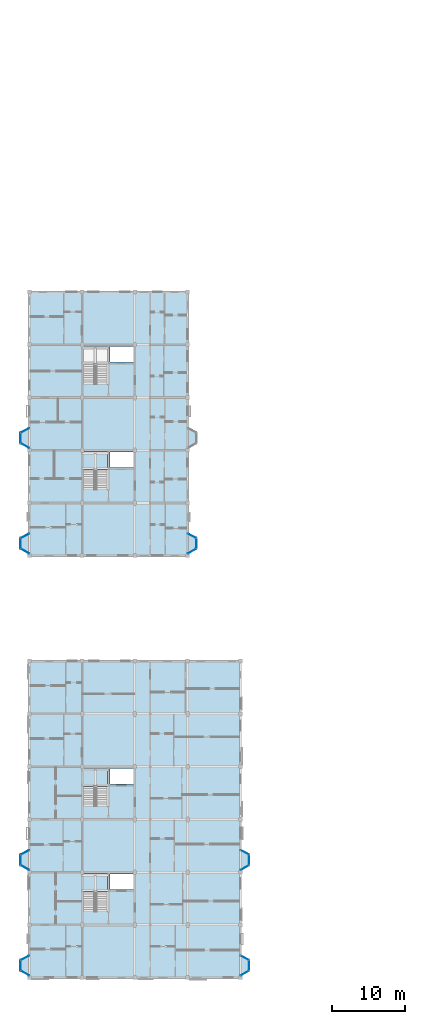
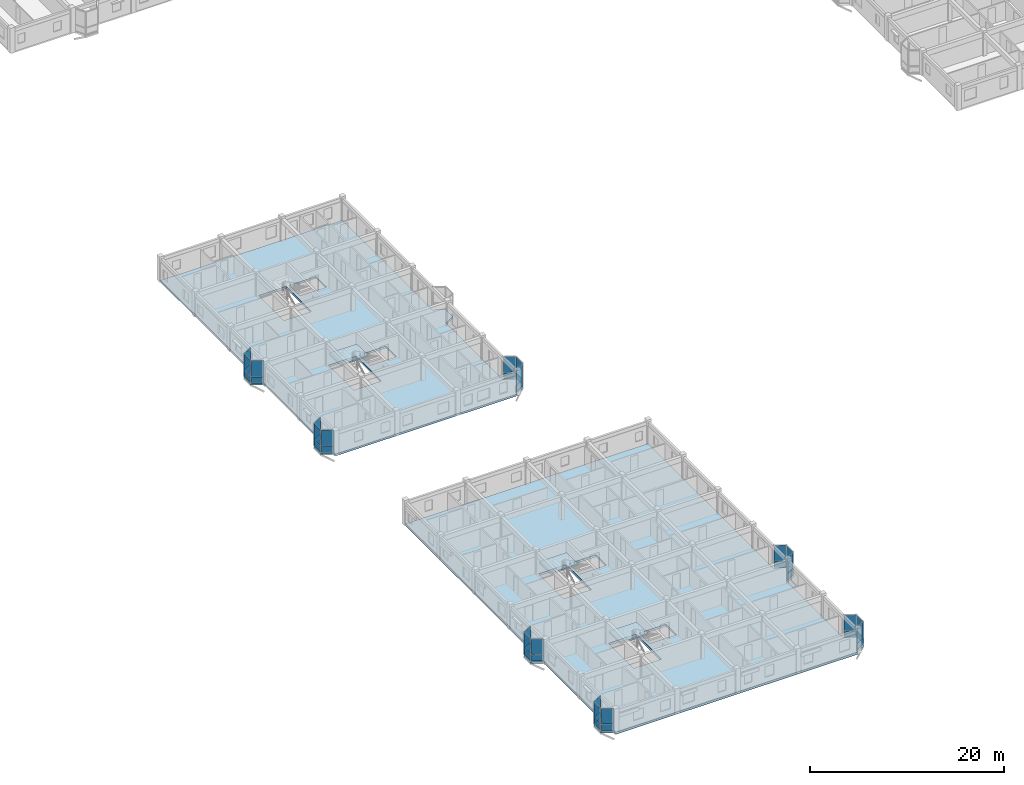
# One storey, part 46 of 77: 42 plates, 5 slabs, 24 elements without a shape of their own.
"""IFC4 building model written with IfcOpenShell, lengths in metres."""

from ifc_helpers import new_model, si_unit, direction, frame, origin, origin_2d, place, context, subcontext, project, spatial, polyline, rectangle, outline, extrude, material, layer, layer_set, type_object, element, aggregate, save


model = new_model("IFC4")

# Units and contexts
model_context = context("Model", 3, precision=1e-05, world=origin(), true_north=direction((0.0, 1.0)))
body_context = subcontext(model_context, "Body", "Model", "MODEL_VIEW")
ifc_project = project(units=[si_unit("LENGTHUNIT", "METRE"), si_unit("AREAUNIT", "SQUARE_METRE"), si_unit("VOLUMEUNIT", "CUBIC_METRE"), si_unit("PLANEANGLEUNIT", "RADIAN"), si_unit("MASSUNIT", "GRAM", prefix="KILO"), si_unit("THERMODYNAMICTEMPERATUREUNIT", "KELVIN"), si_unit("POWERUNIT", "WATT")], contexts=[model_context])

# Site, building, storey
site_placement = place(None, origin())
site = spatial("IfcSite", under=ifc_project, at=site_placement, CompositionType="ELEMENT")
building_placement = place(site_placement, origin())
building = spatial("IfcBuilding", under=site, at=building_placement, Name="Tavuni Mirador Residences", CompositionType="ELEMENT")
storey_placement = place(building_placement, frame((0.0, 0.0, 17.10009765625)))
storey = spatial("IfcBuildingStorey", under=building, at=storey_placement, Name="L05", CompositionType="ELEMENT", Elevation=17.10009765625)

# Curtain wall, plate
ifc_material_1 = material(Name="Anodised aluminium", Category="aluminium")
ifc_layer_1 = layer(ifc_material_1, 0.1650390625, Name="Anodised aluminium", Category="aluminium")
ifc_layer_set_1 = layer_set([ifc_layer_1], Name="Anodised aluminium")
curtain_wall_type_1 = type_object("IfcCurtainWallType", Name="CWT-MIR-A", PredefinedType="NOTDEFINED", material=ifc_layer_set_1)
curtain_wall_1_placement = place(storey_placement, origin())
curtain_wall_1 = element("IfcCurtainWall", 1, at=curtain_wall_1_placement, inside=storey, type_object=curtain_wall_type_1, Name="CW-MIR-A-E2-L05-M1", PredefinedType="NOTDEFINED")
ifc_material_2 = material(Name="Laminated solar-control glass", Category="glass")
ifc_layer_2 = layer(ifc_material_2, 0.02392578125, Name="Laminated solar-control glass", Category="glass")
ifc_layer_set_2 = layer_set([ifc_layer_2], Name="Laminated solar-control glass")
plate_type_1 = type_object("IfcPlateType", Name="CWP-GL24", PredefinedType="CURTAIN_PANEL", material=ifc_layer_set_2)
plate_1_placement = place(storey_placement, frame((33.0, 22.217529296875, 0.8798828125), z_axis=(0.0, 0.0, 1.0), x_axis=(0.868465738194, 0.495749192217, 0.0)))
plate_1 = element("IfcPlate", 2, at=plate_1_placement, type_object=plate_type_1, Name="CW-01 panel 1.2", PredefinedType="CURTAIN_PANEL", context=body_context, shape_type="SweptSolid", body=[
    extrude(rectangle(XDim=1.26171875, YDim=0.02392578125, at=origin_2d()), origin(), (0.0, 0.0, 1.0), 1.929931640625),
])

curtain_wall_2_placement = place(storey_placement, origin())
curtain_wall_2 = element("IfcCurtainWall", 3, at=curtain_wall_2_placement, inside=storey, type_object=curtain_wall_type_1, Name="CW-MIR-A-W2-L05-MF", PredefinedType="NOTDEFINED")
plate_2_placement = place(storey_placement, frame((2.39990234375, 23.27001953125, 0.8798828125), z_axis=(0.0, 0.0, 1.0), x_axis=(0.0, -1.0, 0.0)))
plate_2 = element("IfcPlate", 4, at=plate_2_placement, type_object=plate_type_1, Name="CW-01 panel 1.2", PredefinedType="CURTAIN_PANEL", context=body_context, shape_type="SweptSolid", body=[
    extrude(rectangle(XDim=1.300048828125, YDim=0.02392578125, at=origin_2d()), origin(), (0.0, 0.0, 1.0), 1.929931640625),
])

curtain_wall_3_placement = place(storey_placement, origin())
curtain_wall_3 = element("IfcCurtainWall", 5, at=curtain_wall_3_placement, inside=storey, type_object=curtain_wall_type_1, Name="CW-MIR-A-W1-L05-M2", PredefinedType="NOTDEFINED")
plate_3_placement = place(storey_placement, frame((3.0, 7.8173828125, 0.8798828125), z_axis=(0.0, 0.0, 1.0), x_axis=(0.868465738194, -0.495749192217, 0.0)))
plate_3 = element("IfcPlate", 6, at=plate_3_placement, type_object=plate_type_1, Name="CW-01 panel 1.2", PredefinedType="CURTAIN_PANEL", context=body_context, shape_type="SweptSolid", body=[
    extrude(rectangle(XDim=1.26171875, YDim=0.02392578125, at=origin_2d()), origin(), (0.0, 0.0, 1.0), 1.929931640625),
])

curtain_wall_4_placement = place(storey_placement, origin())
curtain_wall_4 = element("IfcCurtainWall", 7, at=curtain_wall_4_placement, inside=storey, type_object=curtain_wall_type_1, Name="CW-MIR-B-E1-L05-M1", PredefinedType="NOTDEFINED")
plate_4_placement = place(storey_placement, frame((25.800048828125, 65.41748046875, 0.8798828125), z_axis=(0.0, 0.0, 1.0), x_axis=(0.868465738194, 0.495749192217, 0.0)))
plate_4 = element("IfcPlate", 8, at=plate_4_placement, type_object=plate_type_1, Name="CW-01 panel 1.2", PredefinedType="CURTAIN_PANEL", context=body_context, shape_type="SweptSolid", body=[
    extrude(rectangle(XDim=1.26171875, YDim=0.02392578125, at=origin_2d()), origin(), (0.0, 0.0, 1.0), 1.969970703125),
])

curtain_wall_5_placement = place(storey_placement, origin())
curtain_wall_5 = element("IfcCurtainWall", 9, at=curtain_wall_5_placement, inside=storey, type_object=curtain_wall_type_1, Name="CW-MIR-B-W2-L05-M2", PredefinedType="NOTDEFINED")
plate_5_placement = place(storey_placement, frame((3.0, 79.8173828125, 0.8798828125), z_axis=(0.0, 0.0, 1.0), x_axis=(0.868465738194, -0.495749192217, 0.0)))
plate_5 = element("IfcPlate", 10, at=plate_5_placement, type_object=plate_type_1, Name="CW-01 panel 1.2", PredefinedType="CURTAIN_PANEL", context=body_context, shape_type="SweptSolid", body=[
    extrude(rectangle(XDim=1.26171875, YDim=0.02392578125, at=origin_2d()), origin(), (0.0, 0.0, 1.0), 1.969970703125),
])

ifc_layer_3 = layer(ifc_material_1, 0.14990234375, Name="Anodised aluminium", Category="aluminium")
ifc_layer_set_3 = layer_set([ifc_layer_3], Name="Anodised aluminium")
curtain_wall_type_2 = type_object("IfcCurtainWallType", Name="CWT-MIR-B", PredefinedType="NOTDEFINED", material=ifc_layer_set_3)
curtain_wall_6_placement = place(storey_placement, origin())
curtain_wall_6 = element("IfcCurtainWall", 11, at=curtain_wall_6_placement, inside=storey, type_object=curtain_wall_type_2, Name="CW-MIR-A-E1-L05-M1", PredefinedType="NOTDEFINED")
ifc_layer_4 = layer(ifc_material_2, 0.028076171875, Name="Laminated solar-control glass", Category="glass")
ifc_layer_set_4 = layer_set([ifc_layer_4], Name="Laminated solar-control glass")
plate_type_2 = type_object("IfcPlateType", Name="CWP-GL28", PredefinedType="CURTAIN_PANEL", material=ifc_layer_set_4)
plate_6_placement = place(storey_placement, frame((33.0, 7.8173828125, 0.88232421875), z_axis=(0.0, 0.0, 1.0), x_axis=(0.868465738194, 0.495749192217, 0.0)))
plate_6 = element("IfcPlate", 12, at=plate_6_placement, type_object=plate_type_2, Name="CW-02 panel 1.2", PredefinedType="CURTAIN_PANEL", context=body_context, shape_type="SweptSolid", body=[
    extrude(rectangle(XDim=1.251708984375, YDim=0.028076171875, at=origin_2d()), origin(), (0.0, 0.0, 1.0), 1.922607421875),
])

curtain_wall_7_placement = place(storey_placement, origin())
curtain_wall_7 = element("IfcCurtainWall", 13, at=curtain_wall_7_placement, inside=storey, type_object=curtain_wall_type_2, Name="CW-MIR-A-E2-L05-MF", PredefinedType="NOTDEFINED")
plate_7_placement = place(storey_placement, frame((33.60009765625, 23.27001953125, 0.88232421875), z_axis=(0.0, 0.0, 1.0), x_axis=(0.0, 1.0, 0.0)))
plate_7 = element("IfcPlate", 14, at=plate_7_placement, type_object=plate_type_2, Name="CW-02 panel 1.2", PredefinedType="CURTAIN_PANEL", context=body_context, shape_type="SweptSolid", body=[
    extrude(rectangle(XDim=1.2900390625, YDim=0.028076171875, at=origin_2d()), origin(), (0.0, 0.0, 1.0), 1.922607421875),
])

curtain_wall_8_placement = place(storey_placement, origin())
curtain_wall_8 = element("IfcCurtainWall", 15, at=curtain_wall_8_placement, inside=storey, type_object=curtain_wall_type_2, Name="CW-MIR-A-W2-L05-M2", PredefinedType="NOTDEFINED")
plate_8_placement = place(storey_placement, frame((3.0, 22.217529296875, 0.88232421875), z_axis=(0.0, 0.0, 1.0), x_axis=(0.868465738194, -0.495749192217, 0.0)))
plate_8 = element("IfcPlate", 16, at=plate_8_placement, type_object=plate_type_2, Name="CW-02 panel 1.2", PredefinedType="CURTAIN_PANEL", context=body_context, shape_type="SweptSolid", body=[
    extrude(rectangle(XDim=1.251708984375, YDim=0.028076171875, at=origin_2d()), origin(), (0.0, 0.0, 1.0), 1.922607421875),
])

curtain_wall_9_placement = place(storey_placement, origin())
curtain_wall_9 = element("IfcCurtainWall", 17, at=curtain_wall_9_placement, inside=storey, type_object=curtain_wall_type_2, Name="CW-MIR-B-E1-L05-MF", PredefinedType="NOTDEFINED")
plate_9_placement = place(storey_placement, frame((26.39990234375, 66.469970703125, 0.882568359375), z_axis=(0.0, 0.0, 1.0), x_axis=(0.0, 1.0, 0.0)))
plate_9 = element("IfcPlate", 18, at=plate_9_placement, type_object=plate_type_2, Name="CW-02 panel 1.2", PredefinedType="CURTAIN_PANEL", context=body_context, shape_type="SweptSolid", body=[
    extrude(rectangle(XDim=1.2900390625, YDim=0.028076171875, at=origin_2d()), origin(), (0.0, 0.0, 1.0), 1.96240234375),
])

curtain_wall_10_placement = place(storey_placement, origin())
curtain_wall_10 = element("IfcCurtainWall", 19, at=curtain_wall_10_placement, inside=storey, type_object=curtain_wall_type_2, Name="CW-MIR-B-W1-L05-M1", PredefinedType="NOTDEFINED")
plate_10_placement = place(storey_placement, frame((3.0, 67.5, 0.882568359375), z_axis=(0.0, 0.0, 1.0), x_axis=(-0.882352941175, -0.470588235296, 0.0)))
plate_10 = element("IfcPlate", 20, at=plate_10_placement, type_object=plate_type_2, Name="CW-02 panel 1.2", PredefinedType="CURTAIN_PANEL", context=body_context, shape_type="SweptSolid", body=[
    extrude(rectangle(XDim=1.22998046875, YDim=0.028076171875, at=origin_2d()), origin(), (0.0, 0.0, 1.0), 1.96240234375),
])

ifc_layer_5 = layer(ifc_material_1, 0.175048828125, Name="Anodised aluminium", Category="aluminium")
ifc_layer_set_5 = layer_set([ifc_layer_5], Name="Anodised aluminium")
curtain_wall_type_3 = type_object("IfcCurtainWallType", Name="CWT-MIR-C", PredefinedType="NOTDEFINED", material=ifc_layer_set_5)
curtain_wall_11_placement = place(storey_placement, origin())
curtain_wall_11 = element("IfcCurtainWall", 21, at=curtain_wall_11_placement, inside=storey, type_object=curtain_wall_type_3, Name="CW-MIR-A-E1-L05-MF", PredefinedType="NOTDEFINED")
ifc_layer_6 = layer(ifc_material_2, 0.031982421875, Name="Laminated solar-control glass", Category="glass")
ifc_layer_set_6 = layer_set([ifc_layer_6], Name="Laminated solar-control glass")
plate_type_3 = type_object("IfcPlateType", Name="CWP-GL32", PredefinedType="CURTAIN_PANEL", material=ifc_layer_set_6)
plate_11_placement = place(storey_placement, frame((33.60009765625, 8.8701171875, 0.8798828125), z_axis=(0.0, 0.0, 1.0), x_axis=(0.0, 1.0, 0.0)))
plate_11 = element("IfcPlate", 22, at=plate_11_placement, type_object=plate_type_3, Name="CW-03 panel 1.2", PredefinedType="CURTAIN_PANEL", context=body_context, shape_type="SweptSolid", body=[
    extrude(rectangle(XDim=1.300048828125, YDim=0.031982421875, at=origin_2d()), origin(), (0.0, 0.0, 1.0), 1.929931640625),
])

curtain_wall_12_placement = place(storey_placement, origin())
curtain_wall_12 = element("IfcCurtainWall", 23, at=curtain_wall_12_placement, inside=storey, type_object=curtain_wall_type_3, Name="CW-MIR-A-E2-L05-M2", PredefinedType="NOTDEFINED")
plate_12_placement = place(storey_placement, frame((33.0, 24.300048828125, 0.8798828125), z_axis=(0.0, 0.0, 1.0), x_axis=(-0.882352941175, 0.470588235296, 0.0)))
plate_12 = element("IfcPlate", 24, at=plate_12_placement, type_object=plate_type_3, Name="CW-03 panel 1.2", PredefinedType="CURTAIN_PANEL", context=body_context, shape_type="SweptSolid", body=[
    extrude(rectangle(XDim=1.239990234375, YDim=0.031982421875, at=origin_2d()), origin(), (0.0, 0.0, 1.0), 1.929931640625),
])

curtain_wall_13_placement = place(storey_placement, origin())
curtain_wall_13 = element("IfcCurtainWall", 25, at=curtain_wall_13_placement, inside=storey, type_object=curtain_wall_type_3, Name="CW-MIR-A-W1-L05-M1", PredefinedType="NOTDEFINED")
plate_13_placement = place(storey_placement, frame((3.0, 9.89990234375, 0.8798828125), z_axis=(0.0, 0.0, 1.0), x_axis=(-0.882352941175, -0.470588235296, 0.0)))
plate_13 = element("IfcPlate", 26, at=plate_13_placement, type_object=plate_type_3, Name="CW-03 panel 1.2", PredefinedType="CURTAIN_PANEL", context=body_context, shape_type="SweptSolid", body=[
    extrude(rectangle(XDim=1.239990234375, YDim=0.031982421875, at=origin_2d()), origin(), (0.0, 0.0, 1.0), 1.929931640625),
])

curtain_wall_14_placement = place(storey_placement, origin())
curtain_wall_14 = element("IfcCurtainWall", 27, at=curtain_wall_14_placement, inside=storey, type_object=curtain_wall_type_3, Name="CW-MIR-B-E1-L05-M2", PredefinedType="NOTDEFINED")
plate_14_placement = place(storey_placement, frame((25.800048828125, 67.5, 0.8798828125), z_axis=(0.0, 0.0, 1.0), x_axis=(-0.882352941175, 0.470588235296, 0.0)))
plate_14 = element("IfcPlate", 28, at=plate_14_placement, type_object=plate_type_3, Name="CW-03 panel 1.2", PredefinedType="CURTAIN_PANEL", context=body_context, shape_type="SweptSolid", body=[
    extrude(rectangle(XDim=1.239990234375, YDim=0.031982421875, at=origin_2d()), origin(), (0.0, 0.0, 1.0), 1.969970703125),
])

curtain_wall_15_placement = place(storey_placement, origin())
curtain_wall_15 = element("IfcCurtainWall", 29, at=curtain_wall_15_placement, inside=storey, type_object=curtain_wall_type_3, Name="CW-MIR-B-W2-L05-M1", PredefinedType="NOTDEFINED")
plate_15_placement = place(storey_placement, frame((3.0, 81.89990234375, 0.8798828125), z_axis=(0.0, 0.0, 1.0), x_axis=(-0.882352941175, -0.470588235296, 0.0)))
plate_15 = element("IfcPlate", 30, at=plate_15_placement, type_object=plate_type_3, Name="CW-03 panel 1.2", PredefinedType="CURTAIN_PANEL", context=body_context, shape_type="SweptSolid", body=[
    extrude(rectangle(XDim=1.239990234375, YDim=0.031982421875, at=origin_2d()), origin(), (0.0, 0.0, 1.0), 1.969970703125),
])

curtain_wall_16_placement = place(storey_placement, origin())
curtain_wall_16 = element("IfcCurtainWall", 31, at=curtain_wall_16_placement, inside=storey, type_object=curtain_wall_type_3, Name="CW-MIR-B-W1-L05-MF", PredefinedType="NOTDEFINED")
plate_16_placement = place(storey_placement, frame((2.39990234375, 66.469970703125, 0.8798828125), z_axis=(0.0, 0.0, 1.0), x_axis=(0.0, -1.0, 0.0)))
plate_16 = element("IfcPlate", 32, at=plate_16_placement, type_object=plate_type_3, Name="CW-03 panel 1.2", PredefinedType="CURTAIN_PANEL", context=body_context, shape_type="SweptSolid", body=[
    extrude(rectangle(XDim=1.300048828125, YDim=0.031982421875, at=origin_2d()), origin(), (0.0, 0.0, 1.0), 1.969970703125),
])

ifc_layer_7 = layer(ifc_material_1, 0.159912109375, Name="Anodised aluminium", Category="aluminium")
ifc_layer_set_7 = layer_set([ifc_layer_7], Name="Anodised aluminium")
curtain_wall_type_4 = type_object("IfcCurtainWallType", Name="CWT-MIR-D", PredefinedType="NOTDEFINED", material=ifc_layer_set_7)
curtain_wall_17_placement = place(storey_placement, origin())
curtain_wall_17 = element("IfcCurtainWall", 33, at=curtain_wall_17_placement, inside=storey, type_object=curtain_wall_type_4, Name="CW-MIR-A-E1-L05-M2", PredefinedType="NOTDEFINED")
ifc_layer_8 = layer(ifc_material_2, 0.035888671875, Name="Laminated solar-control glass", Category="glass")
ifc_layer_set_8 = layer_set([ifc_layer_8], Name="Laminated solar-control glass")
plate_type_4 = type_object("IfcPlateType", Name="CWP-GL36", PredefinedType="CURTAIN_PANEL", material=ifc_layer_set_8)
plate_17_placement = place(storey_placement, frame((33.0, 9.89990234375, 0.88232421875), z_axis=(0.0, 0.0, 1.0), x_axis=(-0.882352941175, 0.470588235296, 0.0)))
plate_17 = element("IfcPlate", 34, at=plate_17_placement, type_object=plate_type_4, Name="CW-04 panel 1.2", PredefinedType="CURTAIN_PANEL", context=body_context, shape_type="SweptSolid", body=[
    extrude(rectangle(XDim=1.22998046875, YDim=0.035888671875, at=origin_2d()), origin(), (0.0, 0.0, 1.0), 1.922607421875),
])

curtain_wall_18_placement = place(storey_placement, origin())
curtain_wall_18 = element("IfcCurtainWall", 35, at=curtain_wall_18_placement, inside=storey, type_object=curtain_wall_type_4, Name="CW-MIR-A-W2-L05-M1", PredefinedType="NOTDEFINED")
plate_18_placement = place(storey_placement, frame((3.0, 24.300048828125, 0.88232421875), z_axis=(0.0, 0.0, 1.0), x_axis=(-0.882352941175, -0.470588235296, 0.0)))
plate_18 = element("IfcPlate", 36, at=plate_18_placement, type_object=plate_type_4, Name="CW-04 panel 1.2", PredefinedType="CURTAIN_PANEL", context=body_context, shape_type="SweptSolid", body=[
    extrude(rectangle(XDim=1.22998046875, YDim=0.035888671875, at=origin_2d()), origin(), (0.0, 0.0, 1.0), 1.922607421875),
])

curtain_wall_19_placement = place(storey_placement, origin())
curtain_wall_19 = element("IfcCurtainWall", 37, at=curtain_wall_19_placement, inside=storey, type_object=curtain_wall_type_4, Name="CW-MIR-A-W1-L05-MF", PredefinedType="NOTDEFINED")
plate_19_placement = place(storey_placement, frame((2.39990234375, 8.8701171875, 0.88232421875), z_axis=(0.0, 0.0, 1.0), x_axis=(0.0, -1.0, 0.0)))
plate_19 = element("IfcPlate", 38, at=plate_19_placement, type_object=plate_type_4, Name="CW-04 panel 1.2", PredefinedType="CURTAIN_PANEL", context=body_context, shape_type="SweptSolid", body=[
    extrude(rectangle(XDim=1.2900390625, YDim=0.035888671875, at=origin_2d()), origin(), (0.0, 0.0, 1.0), 1.922607421875),
])

curtain_wall_20_placement = place(storey_placement, origin())
curtain_wall_20 = element("IfcCurtainWall", 39, at=curtain_wall_20_placement, inside=storey, type_object=curtain_wall_type_4, Name="CW-MIR-B-W2-L05-MF", PredefinedType="NOTDEFINED")
plate_20_placement = place(storey_placement, frame((2.39990234375, 80.8701171875, 0.882568359375), z_axis=(0.0, 0.0, 1.0), x_axis=(0.0, -1.0, 0.0)))
plate_20 = element("IfcPlate", 40, at=plate_20_placement, type_object=plate_type_4, Name="CW-04 panel 1.2", PredefinedType="CURTAIN_PANEL", context=body_context, shape_type="SweptSolid", body=[
    extrude(rectangle(XDim=1.2900390625, YDim=0.035888671875, at=origin_2d()), origin(), (0.0, 0.0, 1.0), 1.96240234375),
])

curtain_wall_21_placement = place(storey_placement, origin())
curtain_wall_21 = element("IfcCurtainWall", 41, at=curtain_wall_21_placement, inside=storey, type_object=curtain_wall_type_4, Name="CW-MIR-B-W1-L05-M2", PredefinedType="NOTDEFINED")
plate_21_placement = place(storey_placement, frame((3.0, 65.41748046875, 0.882568359375), z_axis=(0.0, 0.0, 1.0), x_axis=(0.868465738194, -0.495749192217, 0.0)))
plate_21 = element("IfcPlate", 42, at=plate_21_placement, type_object=plate_type_4, Name="CW-04 panel 1.2", PredefinedType="CURTAIN_PANEL", context=body_context, shape_type="SweptSolid", body=[
    extrude(rectangle(XDim=1.251708984375, YDim=0.035888671875, at=origin_2d()), origin(), (0.0, 0.0, 1.0), 1.96240234375),
])

# Plate
ifc_material_3 = material(Name="Ceramic trencadis mosaic panel", Category="masonry")
ifc_layer_9 = layer(ifc_material_3, 0.0419921875, Name="Ceramic trencadis mosaic panel", Category="masonry")
ifc_layer_set_9 = layer_set([ifc_layer_9], Name="Ceramic trencadis mosaic panel")
plate_type_5 = type_object("IfcPlateType", Name="CWP-SP42", PredefinedType="CURTAIN_PANEL", material=ifc_layer_set_9)
plate_22_placement = place(storey_placement, frame((33.60009765625, 8.8701171875, 0.06005859375), z_axis=(0.0, 0.0, 1.0), x_axis=(0.0, 1.0, 0.0)))
plate_22 = element("IfcPlate", 43, at=plate_22_placement, type_object=plate_type_5, Name="CW-03 panel 1.1", PredefinedType="CURTAIN_PANEL", context=body_context, shape_type="SweptSolid", body=[
    extrude(rectangle(XDim=1.300048828125, YDim=0.0419921875, at=origin_2d()), origin(), (0.0, 0.0, 1.0), 0.760009765625),
])

aggregate(curtain_wall_11, [plate_22, plate_11])

plate_23_placement = place(storey_placement, frame((33.0, 22.217529296875, 0.06005859375), z_axis=(0.0, 0.0, 1.0), x_axis=(0.868465738194, 0.495749192217, 0.0)))
plate_23 = element("IfcPlate", 44, at=plate_23_placement, type_object=plate_type_5, Name="CW-01 panel 1.1", PredefinedType="CURTAIN_PANEL", context=body_context, shape_type="SweptSolid", body=[
    extrude(rectangle(XDim=1.26171875, YDim=0.0419921875, at=origin_2d()), origin(), (0.0, 0.0, 1.0), 0.760009765625),
])

aggregate(curtain_wall_1, [plate_23, plate_1])

plate_24_placement = place(storey_placement, frame((33.0, 24.300048828125, 0.06005859375), z_axis=(0.0, 0.0, 1.0), x_axis=(-0.882352941175, 0.470588235296, 0.0)))
plate_24 = element("IfcPlate", 45, at=plate_24_placement, type_object=plate_type_5, Name="CW-03 panel 1.1", PredefinedType="CURTAIN_PANEL", context=body_context, shape_type="SweptSolid", body=[
    extrude(rectangle(XDim=1.239990234375, YDim=0.0419921875, at=origin_2d()), origin(), (0.0, 0.0, 1.0), 0.760009765625),
])

aggregate(curtain_wall_12, [plate_24, plate_12])

plate_25_placement = place(storey_placement, frame((2.39990234375, 23.27001953125, 0.06005859375), z_axis=(0.0, 0.0, 1.0), x_axis=(0.0, -1.0, 0.0)))
plate_25 = element("IfcPlate", 46, at=plate_25_placement, type_object=plate_type_5, Name="CW-01 panel 1.1", PredefinedType="CURTAIN_PANEL", context=body_context, shape_type="SweptSolid", body=[
    extrude(rectangle(XDim=1.300048828125, YDim=0.0419921875, at=origin_2d()), origin(), (0.0, 0.0, 1.0), 0.760009765625),
])

aggregate(curtain_wall_2, [plate_25, plate_2])

plate_26_placement = place(storey_placement, frame((3.0, 9.89990234375, 0.06005859375), z_axis=(0.0, 0.0, 1.0), x_axis=(-0.882352941175, -0.470588235296, 0.0)))
plate_26 = element("IfcPlate", 47, at=plate_26_placement, type_object=plate_type_5, Name="CW-03 panel 1.1", PredefinedType="CURTAIN_PANEL", context=body_context, shape_type="SweptSolid", body=[
    extrude(rectangle(XDim=1.239990234375, YDim=0.0419921875, at=origin_2d()), origin(), (0.0, 0.0, 1.0), 0.760009765625),
])

aggregate(curtain_wall_13, [plate_26, plate_13])

plate_27_placement = place(storey_placement, frame((3.0, 7.8173828125, 0.06005859375), z_axis=(0.0, 0.0, 1.0), x_axis=(0.868465738194, -0.495749192217, 0.0)))
plate_27 = element("IfcPlate", 48, at=plate_27_placement, type_object=plate_type_5, Name="CW-01 panel 1.1", PredefinedType="CURTAIN_PANEL", context=body_context, shape_type="SweptSolid", body=[
    extrude(rectangle(XDim=1.26171875, YDim=0.0419921875, at=origin_2d()), origin(), (0.0, 0.0, 1.0), 0.760009765625),
])

aggregate(curtain_wall_3, [plate_27, plate_3])

plate_28_placement = place(storey_placement, frame((25.800048828125, 65.41748046875, 0.06005859375), z_axis=(0.0, 0.0, 1.0), x_axis=(0.868465738194, 0.495749192217, 0.0)))
plate_28 = element("IfcPlate", 49, at=plate_28_placement, type_object=plate_type_5, Name="CW-01 panel 1.1", PredefinedType="CURTAIN_PANEL", context=body_context, shape_type="SweptSolid", body=[
    extrude(rectangle(XDim=1.26171875, YDim=0.0419921875, at=origin_2d()), origin(), (0.0, 0.0, 1.0), 0.760009765625),
])

aggregate(curtain_wall_4, [plate_28, plate_4])

plate_29_placement = place(storey_placement, frame((25.800048828125, 67.5, 0.06005859375), z_axis=(0.0, 0.0, 1.0), x_axis=(-0.882352941175, 0.470588235296, 0.0)))
plate_29 = element("IfcPlate", 50, at=plate_29_placement, type_object=plate_type_5, Name="CW-03 panel 1.1", PredefinedType="CURTAIN_PANEL", context=body_context, shape_type="SweptSolid", body=[
    extrude(rectangle(XDim=1.239990234375, YDim=0.0419921875, at=origin_2d()), origin(), (0.0, 0.0, 1.0), 0.760009765625),
])

aggregate(curtain_wall_14, [plate_29, plate_14])

plate_30_placement = place(storey_placement, frame((3.0, 81.89990234375, 0.06005859375), z_axis=(0.0, 0.0, 1.0), x_axis=(-0.882352941175, -0.470588235296, 0.0)))
plate_30 = element("IfcPlate", 51, at=plate_30_placement, type_object=plate_type_5, Name="CW-03 panel 1.1", PredefinedType="CURTAIN_PANEL", context=body_context, shape_type="SweptSolid", body=[
    extrude(rectangle(XDim=1.239990234375, YDim=0.0419921875, at=origin_2d()), origin(), (0.0, 0.0, 1.0), 0.760009765625),
])

aggregate(curtain_wall_15, [plate_30, plate_15])

plate_31_placement = place(storey_placement, frame((3.0, 79.8173828125, 0.06005859375), z_axis=(0.0, 0.0, 1.0), x_axis=(0.868465738194, -0.495749192217, 0.0)))
plate_31 = element("IfcPlate", 52, at=plate_31_placement, type_object=plate_type_5, Name="CW-01 panel 1.1", PredefinedType="CURTAIN_PANEL", context=body_context, shape_type="SweptSolid", body=[
    extrude(rectangle(XDim=1.26171875, YDim=0.0419921875, at=origin_2d()), origin(), (0.0, 0.0, 1.0), 0.760009765625),
])

aggregate(curtain_wall_5, [plate_31, plate_5])

plate_32_placement = place(storey_placement, frame((2.39990234375, 66.469970703125, 0.06005859375), z_axis=(0.0, 0.0, 1.0), x_axis=(0.0, -1.0, 0.0)))
plate_32 = element("IfcPlate", 53, at=plate_32_placement, type_object=plate_type_5, Name="CW-03 panel 1.1", PredefinedType="CURTAIN_PANEL", context=body_context, shape_type="SweptSolid", body=[
    extrude(rectangle(XDim=1.300048828125, YDim=0.0419921875, at=origin_2d()), origin(), (0.0, 0.0, 1.0), 0.760009765625),
])

aggregate(curtain_wall_16, [plate_32, plate_16])

ifc_layer_10 = layer(ifc_material_3, 0.048095703125, Name="Ceramic trencadis mosaic panel", Category="masonry")
ifc_layer_set_10 = layer_set([ifc_layer_10], Name="Ceramic trencadis mosaic panel")
plate_type_6 = type_object("IfcPlateType", Name="CWP-SP48", PredefinedType="CURTAIN_PANEL", material=ifc_layer_set_10)
plate_33_placement = place(storey_placement, frame((33.0, 7.8173828125, 0.06494140625), z_axis=(0.0, 0.0, 1.0), x_axis=(0.868465738194, 0.495749192217, 0.0)))
plate_33 = element("IfcPlate", 54, at=plate_33_placement, type_object=plate_type_6, Name="CW-02 panel 1.1", PredefinedType="CURTAIN_PANEL", context=body_context, shape_type="SweptSolid", body=[
    extrude(rectangle(XDim=1.251708984375, YDim=0.048095703125, at=origin_2d()), origin(), (0.0, 0.0, 1.0), 0.75244140625),
])

aggregate(curtain_wall_6, [plate_33, plate_6])

plate_34_placement = place(storey_placement, frame((33.0, 9.89990234375, 0.06494140625), z_axis=(0.0, 0.0, 1.0), x_axis=(-0.882352941175, 0.470588235296, 0.0)))
plate_34 = element("IfcPlate", 55, at=plate_34_placement, type_object=plate_type_6, Name="CW-04 panel 1.1", PredefinedType="CURTAIN_PANEL", context=body_context, shape_type="SweptSolid", body=[
    extrude(rectangle(XDim=1.22998046875, YDim=0.048095703125, at=origin_2d()), origin(), (0.0, 0.0, 1.0), 0.75244140625),
])

aggregate(curtain_wall_17, [plate_34, plate_17])

plate_35_placement = place(storey_placement, frame((33.60009765625, 23.27001953125, 0.06494140625), z_axis=(0.0, 0.0, 1.0), x_axis=(0.0, 1.0, 0.0)))
plate_35 = element("IfcPlate", 56, at=plate_35_placement, type_object=plate_type_6, Name="CW-02 panel 1.1", PredefinedType="CURTAIN_PANEL", context=body_context, shape_type="SweptSolid", body=[
    extrude(rectangle(XDim=1.2900390625, YDim=0.048095703125, at=origin_2d()), origin(), (0.0, 0.0, 1.0), 0.75244140625),
])

aggregate(curtain_wall_7, [plate_35, plate_7])

plate_36_placement = place(storey_placement, frame((3.0, 24.300048828125, 0.06494140625), z_axis=(0.0, 0.0, 1.0), x_axis=(-0.882352941175, -0.470588235296, 0.0)))
plate_36 = element("IfcPlate", 57, at=plate_36_placement, type_object=plate_type_6, Name="CW-04 panel 1.1", PredefinedType="CURTAIN_PANEL", context=body_context, shape_type="SweptSolid", body=[
    extrude(rectangle(XDim=1.22998046875, YDim=0.048095703125, at=origin_2d()), origin(), (0.0, 0.0, 1.0), 0.75244140625),
])

aggregate(curtain_wall_18, [plate_36, plate_18])

plate_37_placement = place(storey_placement, frame((3.0, 22.217529296875, 0.06494140625), z_axis=(0.0, 0.0, 1.0), x_axis=(0.868465738194, -0.495749192217, 0.0)))
plate_37 = element("IfcPlate", 58, at=plate_37_placement, type_object=plate_type_6, Name="CW-02 panel 1.1", PredefinedType="CURTAIN_PANEL", context=body_context, shape_type="SweptSolid", body=[
    extrude(rectangle(XDim=1.251708984375, YDim=0.048095703125, at=origin_2d()), origin(), (0.0, 0.0, 1.0), 0.75244140625),
])

aggregate(curtain_wall_8, [plate_37, plate_8])

plate_38_placement = place(storey_placement, frame((2.39990234375, 8.8701171875, 0.06494140625), z_axis=(0.0, 0.0, 1.0), x_axis=(0.0, -1.0, 0.0)))
plate_38 = element("IfcPlate", 59, at=plate_38_placement, type_object=plate_type_6, Name="CW-04 panel 1.1", PredefinedType="CURTAIN_PANEL", context=body_context, shape_type="SweptSolid", body=[
    extrude(rectangle(XDim=1.2900390625, YDim=0.048095703125, at=origin_2d()), origin(), (0.0, 0.0, 1.0), 0.75244140625),
])

aggregate(curtain_wall_19, [plate_38, plate_19])

plate_39_placement = place(storey_placement, frame((26.39990234375, 66.469970703125, 0.06494140625), z_axis=(0.0, 0.0, 1.0), x_axis=(0.0, 1.0, 0.0)))
plate_39 = element("IfcPlate", 60, at=plate_39_placement, type_object=plate_type_6, Name="CW-02 panel 1.1", PredefinedType="CURTAIN_PANEL", context=body_context, shape_type="SweptSolid", body=[
    extrude(rectangle(XDim=1.2900390625, YDim=0.048095703125, at=origin_2d()), origin(), (0.0, 0.0, 1.0), 0.75244140625),
])

aggregate(curtain_wall_9, [plate_39, plate_9])

plate_40_placement = place(storey_placement, frame((2.39990234375, 80.8701171875, 0.06494140625), z_axis=(0.0, 0.0, 1.0), x_axis=(0.0, -1.0, 0.0)))
plate_40 = element("IfcPlate", 61, at=plate_40_placement, type_object=plate_type_6, Name="CW-04 panel 1.1", PredefinedType="CURTAIN_PANEL", context=body_context, shape_type="SweptSolid", body=[
    extrude(rectangle(XDim=1.2900390625, YDim=0.048095703125, at=origin_2d()), origin(), (0.0, 0.0, 1.0), 0.75244140625),
])

aggregate(curtain_wall_20, [plate_40, plate_20])

plate_41_placement = place(storey_placement, frame((3.0, 67.5, 0.06494140625), z_axis=(0.0, 0.0, 1.0), x_axis=(-0.882352941175, -0.470588235296, 0.0)))
plate_41 = element("IfcPlate", 62, at=plate_41_placement, type_object=plate_type_6, Name="CW-02 panel 1.1", PredefinedType="CURTAIN_PANEL", context=body_context, shape_type="SweptSolid", body=[
    extrude(rectangle(XDim=1.22998046875, YDim=0.048095703125, at=origin_2d()), origin(), (0.0, 0.0, 1.0), 0.75244140625),
])

aggregate(curtain_wall_10, [plate_41, plate_10])

plate_42_placement = place(storey_placement, frame((3.0, 65.41748046875, 0.06494140625), z_axis=(0.0, 0.0, 1.0), x_axis=(0.868465738194, -0.495749192217, 0.0)))
plate_42 = element("IfcPlate", 63, at=plate_42_placement, type_object=plate_type_6, Name="CW-04 panel 1.1", PredefinedType="CURTAIN_PANEL", context=body_context, shape_type="SweptSolid", body=[
    extrude(rectangle(XDim=1.251708984375, YDim=0.048095703125, at=origin_2d()), origin(), (0.0, 0.0, 1.0), 0.75244140625),
])

aggregate(curtain_wall_21, [plate_42, plate_21])

# Slabs
ifc_material_4 = material(Name="Prestressed concrete C45/55", Category="concrete")
ifc_layer_11 = layer(ifc_material_4, 0.239990234375, Name="Prestressed concrete C45/55", Category="concrete")
ifc_layer_set_11 = layer_set([ifc_layer_11], Name="Prestressed concrete C45/55")
slab_type_1 = type_object("IfcSlabType", Name="SLT-FLR240", PredefinedType="FLOOR", material=ifc_layer_set_11)
slab_1_placement = place(storey_placement, frame((0.0, 0.0, -0.239990234375)))
element("IfcSlab", 64, at=slab_1_placement, inside=storey, type_object=slab_type_1, Name="SLB-BLK-B-L05", PredefinedType="FLOOR", context=body_context, shape_type="SweptSolid", body=[
    extrude(outline(polyline([(3.60009765625, 64.800048828125), (25.199951171875, 64.800048828125), (25.199951171875, 65.074951171875), (26.39990234375, 65.760009765625), (26.39990234375, 67.179931640625), (25.199951171875, 67.820068359375), (25.199951171875, 79.47509765625), (26.39990234375, 80.159912109375), (26.39990234375, 81.580078125), (25.199951171875, 82.219970703125), (25.199951171875, 100.800048828125), (3.60009765625, 100.800048828125), (3.60009765625, 82.219970703125), (2.39990234375, 81.580078125), (2.39990234375, 80.159912109375), (3.60009765625, 79.47509765625), (3.60009765625, 67.820068359375), (2.39990234375, 67.179931640625), (2.39990234375, 65.760009765625), (3.60009765625, 65.074951171875), (3.60009765625, 64.800048828125)]), holes=[polyline([(10.9599609375, 73.80810546875), (14.239990234375, 73.80810546875), (14.239990234375, 78.9599609375), (10.9599609375, 78.9599609375), (10.9599609375, 73.80810546875)]), polyline([(14.6201171875, 76.820068359375), (17.780029296875, 76.820068359375), (17.780029296875, 78.97998046875), (14.6201171875, 78.97998046875), (14.6201171875, 76.820068359375)]), polyline([(10.9599609375, 88.2080078125), (14.239990234375, 88.2080078125), (14.239990234375, 93.360107421875), (10.9599609375, 93.360107421875), (10.9599609375, 88.2080078125)]), polyline([(14.6201171875, 91.219970703125), (17.780029296875, 91.219970703125), (17.780029296875, 93.3798828125), (14.6201171875, 93.3798828125), (14.6201171875, 91.219970703125)])]), origin(), (0.0, 0.0, 1.0), 0.239990234375),
])
ifc_layer_12 = layer(ifc_material_4, 0.280029296875, Name="Prestressed concrete C45/55", Category="concrete")
ifc_layer_set_12 = layer_set([ifc_layer_12], Name="Prestressed concrete C45/55")
slab_type_2 = type_object("IfcSlabType", Name="SLT-FLR280", PredefinedType="FLOOR", material=ifc_layer_set_12)
slab_2_placement = place(storey_placement, frame((0.0, 0.0, -0.280029296875)))
element("IfcSlab", 65, at=slab_2_placement, inside=storey, type_object=slab_type_2, Name="SLB-BLK-A-L05", PredefinedType="FLOOR", context=body_context, shape_type="SweptSolid", body=[
    extrude(outline(polyline([(3.60009765625, 7.199951171875), (32.39990234375, 7.199951171875), (32.39990234375, 7.47509765625), (33.60009765625, 8.159912109375), (33.60009765625, 9.580078125), (32.39990234375, 10.219970703125), (32.39990234375, 21.875), (33.60009765625, 22.56005859375), (33.60009765625, 23.97998046875), (32.39990234375, 24.6201171875), (32.39990234375, 50.39990234375), (3.60009765625, 50.39990234375), (3.60009765625, 24.6201171875), (2.39990234375, 23.97998046875), (2.39990234375, 22.56005859375), (3.60009765625, 21.875), (3.60009765625, 10.219970703125), (2.39990234375, 9.580078125), (2.39990234375, 8.159912109375), (3.60009765625, 7.47509765625), (3.60009765625, 7.199951171875)]), holes=[polyline([(10.9599609375, 16.2080078125), (14.239990234375, 16.2080078125), (14.239990234375, 21.360107421875), (10.9599609375, 21.360107421875), (10.9599609375, 16.2080078125)]), polyline([(14.6201171875, 19.219970703125), (17.780029296875, 19.219970703125), (17.780029296875, 21.3798828125), (14.6201171875, 21.3798828125), (14.6201171875, 19.219970703125)]), polyline([(10.9599609375, 30.60791015625), (14.239990234375, 30.60791015625), (14.239990234375, 35.760009765625), (10.9599609375, 35.760009765625), (10.9599609375, 30.60791015625)]), polyline([(14.6201171875, 33.6201171875), (17.780029296875, 33.6201171875), (17.780029296875, 35.780029296875), (14.6201171875, 35.780029296875), (14.6201171875, 33.6201171875)])]), origin(), (0.0, 0.0, 1.0), 0.280029296875),
])

# Stair, slab
ifc_material_5 = material(Name="Precast concrete C40/50", Category="concrete")
stair_type = type_object("IfcStairType", Name="STT-TYP", PredefinedType="HALF_TURN_STAIR", material=ifc_material_5)
stair_1_placement = place(storey_placement, origin())
stair_1 = element("IfcStair", 66, at=stair_1_placement, inside=storey, type_object=stair_type, Name="Protected exit stair ST1 (L05)", PredefinedType="HALF_TURN_STAIR")
ifc_layer_13 = layer(ifc_material_5, 0.179931640625, Name="Precast concrete C40/50", Category="concrete")
ifc_layer_set_13 = layer_set([ifc_layer_13], Name="Precast concrete C40/50")
slab_type_3 = type_object("IfcSlabType", Name="SLT-LND180", PredefinedType="LANDING", material=ifc_layer_set_13)
slab_3_placement = place(storey_placement, frame((0.0, 0.0, 1.39501953125)))
slab_3 = element("IfcSlab", 67, at=slab_3_placement, type_object=slab_type_3, Name="ST1 landing 1", PredefinedType="LANDING", context=body_context, shape_type="SweptSolid", body=[
    extrude(outline(polyline([(10.93994140625, 18.89208984375), (14.260009765625, 18.89208984375), (14.260009765625, 21.300048828125), (10.93994140625, 21.300048828125), (10.93994140625, 18.89208984375)])), origin(), (0.0, 0.0, 1.0), 0.179931640625),
])
aggregate(stair_1, [slab_3])

stair_2_placement = place(storey_placement, origin())
stair_2 = element("IfcStair", 68, at=stair_2_placement, inside=storey, type_object=stair_type, Name="Protected exit stair ST2 (L05)", PredefinedType="HALF_TURN_STAIR")
slab_4_placement = place(storey_placement, frame((0.0, 0.0, 1.39501953125)))
slab_4 = element("IfcSlab", 69, at=slab_4_placement, type_object=slab_type_3, Name="ST2 landing 1", PredefinedType="LANDING", context=body_context, shape_type="SweptSolid", body=[
    extrude(outline(polyline([(10.93994140625, 33.2919921875), (14.260009765625, 33.2919921875), (14.260009765625, 35.699951171875), (10.93994140625, 35.699951171875), (10.93994140625, 33.2919921875)])), origin(), (0.0, 0.0, 1.0), 0.179931640625),
])
aggregate(stair_2, [slab_4])

stair_3_placement = place(storey_placement, origin())
stair_3 = element("IfcStair", 70, at=stair_3_placement, inside=storey, type_object=stair_type, Name="Protected exit stair ST3 (L05)", PredefinedType="HALF_TURN_STAIR")
slab_5_placement = place(storey_placement, frame((0.0, 0.0, 1.39501953125)))
slab_5 = element("IfcSlab", 71, at=slab_5_placement, type_object=slab_type_3, Name="ST3 landing 1", PredefinedType="LANDING", context=body_context, shape_type="SweptSolid", body=[
    extrude(outline(polyline([(10.93994140625, 76.491943359375), (14.260009765625, 76.491943359375), (14.260009765625, 78.89990234375), (10.93994140625, 78.89990234375), (10.93994140625, 76.491943359375)])), origin(), (0.0, 0.0, 1.0), 0.179931640625),
])
aggregate(stair_3, [slab_5])

save(model, "model.ifc")
